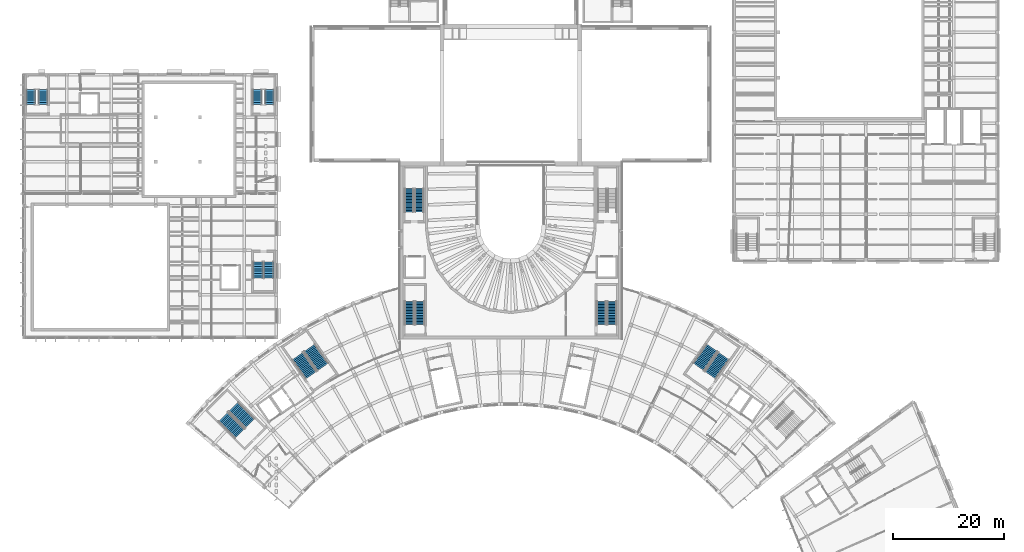
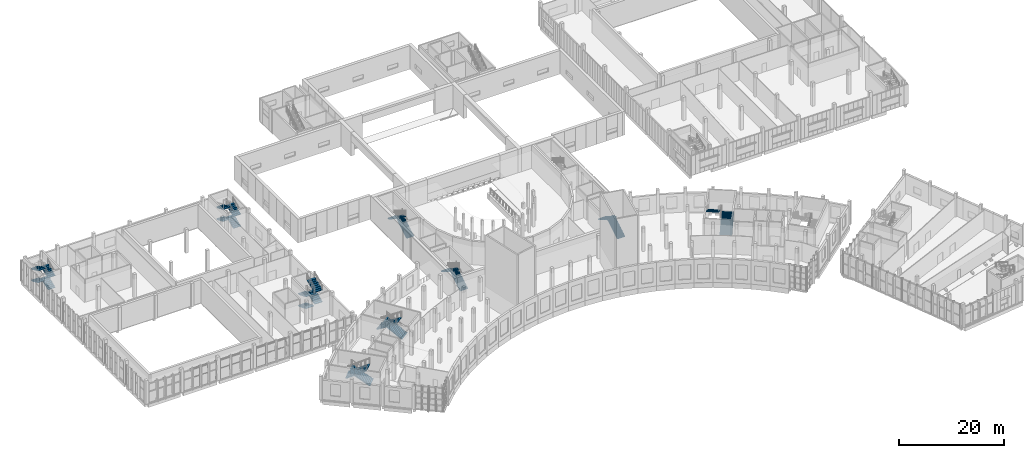
# One storey, part 47 of 87: 24 stair flights, 9 elements without a shape of their own.
"""IFC4 building model written with IfcOpenShell, lengths in metres."""

from ifc_helpers import new_model, si_unit, direction, frame, origin, place, context, subcontext, project, spatial, polyline, outline, extrude, material, type_object, element, aggregate, save


model = new_model("IFC4")

# Units and contexts
model_context = context("Model", 3, precision=1e-05, world=origin(), true_north=direction((0.0, 1.0)))
body_context = subcontext(model_context, "Body", "Model", "MODEL_VIEW")
ifc_project = project(units=[si_unit("LENGTHUNIT", "METRE"), si_unit("AREAUNIT", "SQUARE_METRE"), si_unit("VOLUMEUNIT", "CUBIC_METRE"), si_unit("PLANEANGLEUNIT", "RADIAN"), si_unit("MASSUNIT", "GRAM", prefix="KILO")], contexts=[model_context])

# Site, building, storey
site_placement = place(None, origin())
site = spatial("IfcSite", under=ifc_project, at=site_placement, CompositionType="ELEMENT")
building_placement = place(site_placement, origin())
building = spatial("IfcBuilding", under=site, at=building_placement, Name="Lunette Opera House", CompositionType="ELEMENT")
storey_placement = place(building_placement, frame((0.0, 0.0, 11.5)))
storey = spatial("IfcBuildingStorey", under=building, at=storey_placement, Name="L02", CompositionType="ELEMENT", Elevation=11.5)

# Stair, stair flights
ifc_material_1 = material(Name="Concrete C35/45", Category="concrete")
stair_type_1 = type_object("IfcStairType", Name="DOGLEG STAIR 1600", PredefinedType="HALF_TURN_STAIR", material=ifc_material_1)
stair_1_placement = place(storey_placement, origin())
stair_1 = element("IfcStair", 1, at=stair_1_placement, inside=storey, type_object=stair_type_1, Name="L02 stair ST15", PredefinedType="HALF_TURN_STAIR")
ifc_material_2 = material(Name="Concrete C35/45", Category="concrete")
stair_flight_type_1 = type_object("IfcStairFlightType", Name="STRAIGHT STAIR FLIGHT 1600", PredefinedType="STRAIGHT", material=ifc_material_2)
stair_flight_1_placement = place(storey_placement, frame((11.699951171875, 106.300048828125, 0.0), z_axis=(0.0, 0.0, 1.0), x_axis=(0.0, 1.0, 0.0)))
stair_flight_1 = element("IfcStairFlight", 2, at=stair_flight_1_placement, type_object=stair_flight_type_1, Name="ST15 flight 1", NumberOfRisers=8, NumberOfTreads=7, PredefinedType="STRAIGHT", RiserHeight=0.171875, TreadLength=0.38, context=body_context, shape_type="SweptSolid", body=[
    extrude(outline(polyline([(0.0, 0.0), (0.0, 0.171875), (0.3798828125, 0.171875), (0.3798828125, 0.34375), (0.760009765625, 0.34375), (0.760009765625, 0.515625), (1.139892578125, 0.515625), (1.139892578125, 0.6875), (1.52001953125, 0.6875), (1.52001953125, 0.859375), (1.89990234375, 0.859375), (1.89990234375, 1.03125), (2.280029296875, 1.03125), (2.280029296875, 1.203125), (2.659912109375, 1.203125), (2.659912109375, 1.375), (2.659912109375, 1.03857421875), (0.36376953125, 0.0), (0.0, 0.0)])), frame((0.0, 0.800048828125, 0.0), z_axis=(0.0, -1.0, 0.0), x_axis=(1.0, 0.0, 0.0)), (0.0, 0.0, 1.0), 1.60009765625),
])
stair_flight_2_placement = place(storey_placement, frame((9.5, 108.9599609375, 1.375), z_axis=(0.0, 0.0, 1.0), x_axis=(0.0, -1.0, 0.0)))
stair_flight_2 = element("IfcStairFlight", 3, at=stair_flight_2_placement, type_object=stair_flight_type_1, Name="ST15 flight 2", NumberOfRisers=8, NumberOfTreads=7, PredefinedType="STRAIGHT", RiserHeight=0.171875, TreadLength=0.38, context=body_context, shape_type="SweptSolid", body=[
    extrude(outline(polyline([(0.0, 0.0), (0.0, 0.171875), (0.3798828125, 0.171875), (0.3798828125, 0.34375), (0.760009765625, 0.34375), (0.760009765625, 0.515625), (1.139892578125, 0.515625), (1.139892578125, 0.6875), (1.52001953125, 0.6875), (1.52001953125, 0.859375), (1.89990234375, 0.859375), (1.89990234375, 1.03125), (2.280029296875, 1.03125), (2.280029296875, 1.203125), (2.659912109375, 1.203125), (2.659912109375, 1.375), (2.659912109375, 1.03857421875), (0.36376953125, 0.0), (0.0, 0.0)])), frame((0.0, 0.800048828125, 0.0), z_axis=(0.0, -1.0, 0.0), x_axis=(1.0, 0.0, 0.0)), (0.0, 0.0, 1.0), 1.60009765625),
])
stair_flight_3_placement = place(storey_placement, frame((11.699951171875, 106.300048828125, 2.75), z_axis=(0.0, 0.0, 1.0), x_axis=(0.0, 1.0, 0.0)))
stair_flight_3 = element("IfcStairFlight", 4, at=stair_flight_3_placement, type_object=stair_flight_type_1, Name="ST15 flight 3", NumberOfRisers=8, NumberOfTreads=7, PredefinedType="STRAIGHT", RiserHeight=0.171875, TreadLength=0.38, context=body_context, shape_type="SweptSolid", body=[
    extrude(outline(polyline([(0.0, 0.0), (0.0, 0.171875), (0.3798828125, 0.171875), (0.3798828125, 0.34375), (0.760009765625, 0.34375), (0.760009765625, 0.515625), (1.139892578125, 0.515625), (1.139892578125, 0.6875), (1.52001953125, 0.6875), (1.52001953125, 0.859375), (1.89990234375, 0.859375), (1.89990234375, 1.03125), (2.280029296875, 1.03125), (2.280029296875, 1.203125), (2.659912109375, 1.203125), (2.659912109375, 1.375), (2.659912109375, 1.03857421875), (0.36376953125, 0.0), (0.0, 0.0)])), frame((0.0, 0.800048828125, 0.0), z_axis=(0.0, -1.0, 0.0), x_axis=(1.0, 0.0, 0.0)), (0.0, 0.0, 1.0), 1.60009765625),
])
stair_flight_4_placement = place(storey_placement, frame((9.5, 108.9599609375, 4.125), z_axis=(0.0, 0.0, 1.0), x_axis=(0.0, -1.0, 0.0)))
stair_flight_4 = element("IfcStairFlight", 5, at=stair_flight_4_placement, type_object=stair_flight_type_1, Name="ST15 flight 4", NumberOfRisers=8, NumberOfTreads=7, PredefinedType="STRAIGHT", RiserHeight=0.171875, TreadLength=0.38, context=body_context, shape_type="SweptSolid", body=[
    extrude(outline(polyline([(0.0, 0.0), (0.0, 0.171875), (0.3798828125, 0.171875), (0.3798828125, 0.34375), (0.760009765625, 0.34375), (0.760009765625, 0.515625), (1.139892578125, 0.515625), (1.139892578125, 0.6875), (1.52001953125, 0.6875), (1.52001953125, 0.859375), (1.89990234375, 0.859375), (1.89990234375, 1.03125), (2.280029296875, 1.03125), (2.280029296875, 1.203125), (2.659912109375, 1.203125), (2.659912109375, 1.375), (2.659912109375, 1.03857421875), (0.36376953125, 0.0), (0.0, 0.0)])), frame((0.0, 0.800048828125, 0.0), z_axis=(0.0, -1.0, 0.0), x_axis=(1.0, 0.0, 0.0)), (0.0, 0.0, 1.0), 1.60009765625),
])
aggregate(stair_1, [stair_flight_1, stair_flight_2, stair_flight_3, stair_flight_4])

stair_2_placement = place(storey_placement, origin())
stair_2 = element("IfcStair", 6, at=stair_2_placement, inside=storey, type_object=stair_type_1, Name="L02 stair ST17", PredefinedType="HALF_TURN_STAIR")
stair_flight_5_placement = place(storey_placement, frame((52.534912109375, 106.300048828125, 0.0), z_axis=(0.0, 0.0, 1.0), x_axis=(0.0, 1.0, 0.0)))
stair_flight_5 = element("IfcStairFlight", 7, at=stair_flight_5_placement, type_object=stair_flight_type_1, Name="ST17 flight 1", NumberOfRisers=8, NumberOfTreads=7, PredefinedType="STRAIGHT", RiserHeight=0.171875, TreadLength=0.38, context=body_context, shape_type="SweptSolid", body=[
    extrude(outline(polyline([(0.0, 0.0), (0.0, 0.171875), (0.3798828125, 0.171875), (0.3798828125, 0.34375), (0.760009765625, 0.34375), (0.760009765625, 0.515625), (1.139892578125, 0.515625), (1.139892578125, 0.6875), (1.52001953125, 0.6875), (1.52001953125, 0.859375), (1.89990234375, 0.859375), (1.89990234375, 1.03125), (2.280029296875, 1.03125), (2.280029296875, 1.203125), (2.659912109375, 1.203125), (2.659912109375, 1.375), (2.659912109375, 1.03857421875), (0.36376953125, 0.0), (0.0, 0.0)])), frame((0.0, 0.800048828125, 0.0), z_axis=(0.0, -1.0, 0.0), x_axis=(1.0, 0.0, 0.0)), (0.0, 0.0, 1.0), 1.60009765625),
])
stair_flight_6_placement = place(storey_placement, frame((50.300048828125, 108.9599609375, 1.375), z_axis=(0.0, 0.0, 1.0), x_axis=(0.0, -1.0, 0.0)))
stair_flight_6 = element("IfcStairFlight", 8, at=stair_flight_6_placement, type_object=stair_flight_type_1, Name="ST17 flight 2", NumberOfRisers=8, NumberOfTreads=7, PredefinedType="STRAIGHT", RiserHeight=0.171875, TreadLength=0.38, context=body_context, shape_type="SweptSolid", body=[
    extrude(outline(polyline([(0.0, 0.0), (0.0, 0.171875), (0.3798828125, 0.171875), (0.3798828125, 0.34375), (0.760009765625, 0.34375), (0.760009765625, 0.515625), (1.139892578125, 0.515625), (1.139892578125, 0.6875), (1.52001953125, 0.6875), (1.52001953125, 0.859375), (1.89990234375, 0.859375), (1.89990234375, 1.03125), (2.280029296875, 1.03125), (2.280029296875, 1.203125), (2.659912109375, 1.203125), (2.659912109375, 1.375), (2.659912109375, 1.03857421875), (0.36376953125, 0.0), (0.0, 0.0)])), frame((0.0, 0.800048828125, 0.0), z_axis=(0.0, -1.0, 0.0), x_axis=(1.0, 0.0, 0.0)), (0.0, 0.0, 1.0), 1.60009765625),
])
stair_flight_7_placement = place(storey_placement, frame((52.534912109375, 106.300048828125, 2.75), z_axis=(0.0, 0.0, 1.0), x_axis=(0.0, 1.0, 0.0)))
stair_flight_7 = element("IfcStairFlight", 9, at=stair_flight_7_placement, type_object=stair_flight_type_1, Name="ST17 flight 3", NumberOfRisers=8, NumberOfTreads=7, PredefinedType="STRAIGHT", RiserHeight=0.171875, TreadLength=0.38, context=body_context, shape_type="SweptSolid", body=[
    extrude(outline(polyline([(0.0, 0.0), (0.0, 0.171875), (0.3798828125, 0.171875), (0.3798828125, 0.34375), (0.760009765625, 0.34375), (0.760009765625, 0.515625), (1.139892578125, 0.515625), (1.139892578125, 0.6875), (1.52001953125, 0.6875), (1.52001953125, 0.859375), (1.89990234375, 0.859375), (1.89990234375, 1.03125), (2.280029296875, 1.03125), (2.280029296875, 1.203125), (2.659912109375, 1.203125), (2.659912109375, 1.375), (2.659912109375, 1.03857421875), (0.36376953125, 0.0), (0.0, 0.0)])), frame((0.0, 0.800048828125, 0.0), z_axis=(0.0, -1.0, 0.0), x_axis=(1.0, 0.0, 0.0)), (0.0, 0.0, 1.0), 1.60009765625),
])
stair_flight_8_placement = place(storey_placement, frame((50.300048828125, 108.9599609375, 4.125), z_axis=(0.0, 0.0, 1.0), x_axis=(0.0, -1.0, 0.0)))
stair_flight_8 = element("IfcStairFlight", 10, at=stair_flight_8_placement, type_object=stair_flight_type_1, Name="ST17 flight 4", NumberOfRisers=8, NumberOfTreads=7, PredefinedType="STRAIGHT", RiserHeight=0.171875, TreadLength=0.38, context=body_context, shape_type="SweptSolid", body=[
    extrude(outline(polyline([(0.0, 0.0), (0.0, 0.171875), (0.3798828125, 0.171875), (0.3798828125, 0.34375), (0.760009765625, 0.34375), (0.760009765625, 0.515625), (1.139892578125, 0.515625), (1.139892578125, 0.6875), (1.52001953125, 0.6875), (1.52001953125, 0.859375), (1.89990234375, 0.859375), (1.89990234375, 1.03125), (2.280029296875, 1.03125), (2.280029296875, 1.203125), (2.659912109375, 1.203125), (2.659912109375, 1.375), (2.659912109375, 1.03857421875), (0.36376953125, 0.0), (0.0, 0.0)])), frame((0.0, 0.800048828125, 0.0), z_axis=(0.0, -1.0, 0.0), x_axis=(1.0, 0.0, 0.0)), (0.0, 0.0, 1.0), 1.60009765625),
])
aggregate(stair_2, [stair_flight_5, stair_flight_6, stair_flight_7, stair_flight_8])

ifc_material_3 = material(Name="Concrete C35/45", Category="concrete")
stair_type_2 = type_object("IfcStairType", Name="DOGLEG STAIR 1620", PredefinedType="HALF_TURN_STAIR", material=ifc_material_3)
stair_3_placement = place(storey_placement, origin())
stair_3 = element("IfcStair", 11, at=stair_3_placement, inside=storey, type_object=stair_type_2, Name="L02 stair ST10", PredefinedType="HALF_TURN_STAIR")
ifc_material_4 = material(Name="Concrete C35/45", Category="concrete")
stair_flight_type_2 = type_object("IfcStairFlightType", Name="STRAIGHT STAIR FLIGHT 1620", PredefinedType="STRAIGHT", material=ifc_material_4)
stair_flight_9_placement = place(storey_placement, frame((79.489990234375, 86.919921875, 0.0), z_axis=(0.0, 0.0, 1.0), x_axis=(0.0, 1.0, 0.0)))
stair_flight_9 = element("IfcStairFlight", 12, at=stair_flight_9_placement, type_object=stair_flight_type_2, Name="ST10 flight 1", NumberOfRisers=16, NumberOfTreads=15, PredefinedType="STRAIGHT", RiserHeight=0.171875, TreadLength=0.28, context=body_context, shape_type="SweptSolid", body=[
    extrude(outline(polyline([(0.0, 0.0), (0.0, 0.171875), (0.280029296875, 0.171875), (0.280029296875, 0.34375), (0.56005859375, 0.34375), (0.56005859375, 0.515625), (0.840087890625, 0.515625), (0.840087890625, 0.6875), (1.1201171875, 0.6875), (1.1201171875, 0.859375), (1.39990234375, 0.859375), (1.39990234375, 1.03125), (1.679931640625, 1.03125), (1.679931640625, 1.203125), (1.9599609375, 1.203125), (1.9599609375, 1.375), (2.239990234375, 1.375), (2.239990234375, 1.546875), (2.52001953125, 1.546875), (2.52001953125, 1.71875), (2.800048828125, 1.71875), (2.800048828125, 1.890625), (3.080078125, 1.890625), (3.080078125, 2.0625), (3.360107421875, 2.0625), (3.360107421875, 2.234375), (3.639892578125, 2.234375), (3.639892578125, 2.40625), (3.919921875, 2.40625), (3.919921875, 2.578125), (4.199951171875, 2.578125), (4.199951171875, 2.75), (4.199951171875, 2.40234375), (0.28662109375, 0.0), (0.0, 0.0)])), frame((0.0, 0.81005859375, 0.0), z_axis=(0.0, -1.0, 0.0), x_axis=(1.0, 0.0, 0.0)), (0.0, 0.0, 1.0), 1.6201171875),
])
stair_flight_10_placement = place(storey_placement, frame((77.7099609375, 91.1201171875, 2.75), z_axis=(0.0, 0.0, 1.0), x_axis=(0.0, -1.0, 0.0)))
stair_flight_10 = element("IfcStairFlight", 13, at=stair_flight_10_placement, type_object=stair_flight_type_2, Name="ST10 flight 2", NumberOfRisers=16, NumberOfTreads=15, PredefinedType="STRAIGHT", RiserHeight=0.171875, TreadLength=0.28, context=body_context, shape_type="SweptSolid", body=[
    extrude(outline(polyline([(0.0, 0.0), (0.0, 0.171875), (0.280029296875, 0.171875), (0.280029296875, 0.34375), (0.56005859375, 0.34375), (0.56005859375, 0.515625), (0.840087890625, 0.515625), (0.840087890625, 0.6875), (1.1201171875, 0.6875), (1.1201171875, 0.859375), (1.39990234375, 0.859375), (1.39990234375, 1.03125), (1.679931640625, 1.03125), (1.679931640625, 1.203125), (1.9599609375, 1.203125), (1.9599609375, 1.375), (2.239990234375, 1.375), (2.239990234375, 1.546875), (2.52001953125, 1.546875), (2.52001953125, 1.71875), (2.800048828125, 1.71875), (2.800048828125, 1.890625), (3.080078125, 1.890625), (3.080078125, 2.0625), (3.360107421875, 2.0625), (3.360107421875, 2.234375), (3.639892578125, 2.234375), (3.639892578125, 2.40625), (3.919921875, 2.40625), (3.919921875, 2.578125), (4.199951171875, 2.578125), (4.199951171875, 2.75), (4.199951171875, 2.40234375), (0.28662109375, 0.0), (0.0, 0.0)])), frame((0.0, 0.81005859375, 0.0), z_axis=(0.0, -1.0, 0.0), x_axis=(1.0, 0.0, 0.0)), (0.0, 0.0, 1.0), 1.6201171875),
])
aggregate(stair_3, [stair_flight_9, stair_flight_10])

ifc_material_5 = material(Name="Concrete C35/45", Category="concrete")
stair_type_3 = type_object("IfcStairType", Name="DOGLEG STAIR 1720", PredefinedType="HALF_TURN_STAIR", material=ifc_material_5)
stair_4_placement = place(storey_placement, origin())
stair_4 = element("IfcStair", 14, at=stair_4_placement, inside=storey, type_object=stair_type_3, Name="L02 stair ST7", PredefinedType="HALF_TURN_STAIR")
ifc_material_6 = material(Name="Concrete C35/45", Category="concrete")
stair_flight_type_3 = type_object("IfcStairFlightType", Name="STRAIGHT STAIR FLIGHT 1720", PredefinedType="STRAIGHT", material=ifc_material_6)
stair_flight_11_placement = place(storey_placement, frame((79.639892578125, 66.6201171875, 0.0), z_axis=(0.0, 0.0, 1.0), x_axis=(0.0, 1.0, 0.0)))
stair_flight_11 = element("IfcStairFlight", 15, at=stair_flight_11_placement, type_object=stair_flight_type_3, Name="ST7 flight 1", NumberOfRisers=16, NumberOfTreads=15, PredefinedType="STRAIGHT", RiserHeight=0.171875, TreadLength=0.28, context=body_context, shape_type="SweptSolid", body=[
    extrude(outline(polyline([(0.0, 0.0), (0.0, 0.171875), (0.280029296875, 0.171875), (0.280029296875, 0.34375), (0.56005859375, 0.34375), (0.56005859375, 0.515625), (0.840087890625, 0.515625), (0.840087890625, 0.6875), (1.1201171875, 0.6875), (1.1201171875, 0.859375), (1.39990234375, 0.859375), (1.39990234375, 1.03125), (1.679931640625, 1.03125), (1.679931640625, 1.203125), (1.9599609375, 1.203125), (1.9599609375, 1.375), (2.239990234375, 1.375), (2.239990234375, 1.546875), (2.52001953125, 1.546875), (2.52001953125, 1.71875), (2.800048828125, 1.71875), (2.800048828125, 1.890625), (3.080078125, 1.890625), (3.080078125, 2.0625), (3.360107421875, 2.0625), (3.360107421875, 2.234375), (3.639892578125, 2.234375), (3.639892578125, 2.40625), (3.919921875, 2.40625), (3.919921875, 2.578125), (4.199951171875, 2.578125), (4.199951171875, 2.75), (4.199951171875, 2.40234375), (0.28662109375, 0.0), (0.0, 0.0)])), frame((0.0, 0.85986328125, 0.0), z_axis=(0.0, -1.0, 0.0), x_axis=(1.0, 0.0, 0.0)), (0.0, 0.0, 1.0), 1.719970703125),
])
stair_flight_12_placement = place(storey_placement, frame((77.760009765625, 70.820068359375, 2.75), z_axis=(0.0, 0.0, 1.0), x_axis=(0.0, -1.0, 0.0)))
stair_flight_12 = element("IfcStairFlight", 16, at=stair_flight_12_placement, type_object=stair_flight_type_3, Name="ST7 flight 2", NumberOfRisers=16, NumberOfTreads=15, PredefinedType="STRAIGHT", RiserHeight=0.171875, TreadLength=0.28, context=body_context, shape_type="SweptSolid", body=[
    extrude(outline(polyline([(0.0, 0.0), (0.0, 0.171875), (0.280029296875, 0.171875), (0.280029296875, 0.34375), (0.56005859375, 0.34375), (0.56005859375, 0.515625), (0.840087890625, 0.515625), (0.840087890625, 0.6875), (1.1201171875, 0.6875), (1.1201171875, 0.859375), (1.39990234375, 0.859375), (1.39990234375, 1.03125), (1.679931640625, 1.03125), (1.679931640625, 1.203125), (1.9599609375, 1.203125), (1.9599609375, 1.375), (2.239990234375, 1.375), (2.239990234375, 1.546875), (2.52001953125, 1.546875), (2.52001953125, 1.71875), (2.800048828125, 1.71875), (2.800048828125, 1.890625), (3.080078125, 1.890625), (3.080078125, 2.0625), (3.360107421875, 2.0625), (3.360107421875, 2.234375), (3.639892578125, 2.234375), (3.639892578125, 2.40625), (3.919921875, 2.40625), (3.919921875, 2.578125), (4.199951171875, 2.578125), (4.199951171875, 2.75), (4.199951171875, 2.40234375), (0.28662109375, 0.0), (0.0, 0.0)])), frame((0.0, 0.85986328125, 0.0), z_axis=(0.0, -1.0, 0.0), x_axis=(1.0, 0.0, 0.0)), (0.0, 0.0, 1.0), 1.719970703125),
])
aggregate(stair_4, [stair_flight_11, stair_flight_12])

stair_5_placement = place(storey_placement, origin())
stair_5 = element("IfcStair", 17, at=stair_5_placement, inside=storey, type_object=stair_type_3, Name="L02 stair ST8", PredefinedType="HALF_TURN_STAIR")
stair_flight_13_placement = place(storey_placement, frame((114.239990234375, 66.6201171875, 0.0), z_axis=(0.0, 0.0, 1.0), x_axis=(0.0, 1.0, 0.0)))
stair_flight_13 = element("IfcStairFlight", 18, at=stair_flight_13_placement, type_object=stair_flight_type_3, Name="ST8 flight 1", NumberOfRisers=16, NumberOfTreads=15, PredefinedType="STRAIGHT", RiserHeight=0.171875, TreadLength=0.28, context=body_context, shape_type="SweptSolid", body=[
    extrude(outline(polyline([(0.0, 0.0), (0.0, 0.171875), (0.280029296875, 0.171875), (0.280029296875, 0.34375), (0.56005859375, 0.34375), (0.56005859375, 0.515625), (0.840087890625, 0.515625), (0.840087890625, 0.6875), (1.1201171875, 0.6875), (1.1201171875, 0.859375), (1.39990234375, 0.859375), (1.39990234375, 1.03125), (1.679931640625, 1.03125), (1.679931640625, 1.203125), (1.9599609375, 1.203125), (1.9599609375, 1.375), (2.239990234375, 1.375), (2.239990234375, 1.546875), (2.52001953125, 1.546875), (2.52001953125, 1.71875), (2.800048828125, 1.71875), (2.800048828125, 1.890625), (3.080078125, 1.890625), (3.080078125, 2.0625), (3.360107421875, 2.0625), (3.360107421875, 2.234375), (3.639892578125, 2.234375), (3.639892578125, 2.40625), (3.919921875, 2.40625), (3.919921875, 2.578125), (4.199951171875, 2.578125), (4.199951171875, 2.75), (4.199951171875, 2.40234375), (0.28662109375, 0.0), (0.0, 0.0)])), frame((0.0, 0.85986328125, 0.0), z_axis=(0.0, -1.0, 0.0), x_axis=(1.0, 0.0, 0.0)), (0.0, 0.0, 1.0), 1.719970703125),
])
stair_flight_14_placement = place(storey_placement, frame((112.360107421875, 70.820068359375, 2.75), z_axis=(0.0, 0.0, 1.0), x_axis=(0.0, -1.0, 0.0)))
stair_flight_14 = element("IfcStairFlight", 19, at=stair_flight_14_placement, type_object=stair_flight_type_3, Name="ST8 flight 2", NumberOfRisers=16, NumberOfTreads=15, PredefinedType="STRAIGHT", RiserHeight=0.171875, TreadLength=0.28, context=body_context, shape_type="SweptSolid", body=[
    extrude(outline(polyline([(0.0, 0.0), (0.0, 0.171875), (0.280029296875, 0.171875), (0.280029296875, 0.34375), (0.56005859375, 0.34375), (0.56005859375, 0.515625), (0.840087890625, 0.515625), (0.840087890625, 0.6875), (1.1201171875, 0.6875), (1.1201171875, 0.859375), (1.39990234375, 0.859375), (1.39990234375, 1.03125), (1.679931640625, 1.03125), (1.679931640625, 1.203125), (1.9599609375, 1.203125), (1.9599609375, 1.375), (2.239990234375, 1.375), (2.239990234375, 1.546875), (2.52001953125, 1.546875), (2.52001953125, 1.71875), (2.800048828125, 1.71875), (2.800048828125, 1.890625), (3.080078125, 1.890625), (3.080078125, 2.0625), (3.360107421875, 2.0625), (3.360107421875, 2.234375), (3.639892578125, 2.234375), (3.639892578125, 2.40625), (3.919921875, 2.40625), (3.919921875, 2.578125), (4.199951171875, 2.578125), (4.199951171875, 2.75), (4.199951171875, 2.40234375), (0.28662109375, 0.0), (0.0, 0.0)])), frame((0.0, 0.85986328125, 0.0), z_axis=(0.0, -1.0, 0.0), x_axis=(1.0, 0.0, 0.0)), (0.0, 0.0, 1.0), 1.719970703125),
])
aggregate(stair_5, [stair_flight_13, stair_flight_14])

ifc_material_7 = material(Name="Concrete C35/45", Category="concrete")
stair_type_4 = type_object("IfcStairType", Name="DOGLEG STAIR 1770", PredefinedType="HALF_TURN_STAIR", material=ifc_material_7)
stair_6_placement = place(storey_placement, origin())
stair_6 = element("IfcStair", 20, at=stair_6_placement, inside=storey, type_object=stair_type_4, Name="L02 stair ST16", PredefinedType="HALF_TURN_STAIR")
ifc_material_8 = material(Name="Concrete C35/45", Category="concrete")
stair_flight_type_4 = type_object("IfcStairFlightType", Name="STRAIGHT STAIR FLIGHT 1770", PredefinedType="STRAIGHT", material=ifc_material_8)
stair_flight_15_placement = place(storey_placement, frame((50.485107421875, 77.929931640625, 0.0), z_axis=(0.0, 0.0, 1.0), x_axis=(0.0, -1.0, 0.0)))
stair_flight_15 = element("IfcStairFlight", 21, at=stair_flight_15_placement, type_object=stair_flight_type_4, Name="ST16 flight 1", NumberOfRisers=8, NumberOfTreads=7, PredefinedType="STRAIGHT", RiserHeight=0.171875, TreadLength=0.42, context=body_context, shape_type="SweptSolid", body=[
    extrude(outline(polyline([(0.0, 0.0), (0.0, 0.171875), (0.419921875, 0.171875), (0.419921875, 0.34375), (0.840087890625, 0.34375), (0.840087890625, 0.515625), (1.260009765625, 0.515625), (1.260009765625, 0.6875), (1.679931640625, 0.6875), (1.679931640625, 0.859375), (2.10009765625, 0.859375), (2.10009765625, 1.03125), (2.52001953125, 1.03125), (2.52001953125, 1.203125), (2.93994140625, 1.203125), (2.93994140625, 1.375), (2.93994140625, 1.041259765625), (0.395751953125, 0.0), (0.0, 0.0)])), frame((0.0, 0.885009765625, 0.0), z_axis=(0.0, -1.0, 0.0), x_axis=(1.0, 0.0, 0.0)), (0.0, 0.0, 1.0), 1.77001953125),
])
stair_flight_16_placement = place(storey_placement, frame((52.4150390625, 74.989990234375, 1.375), z_axis=(0.0, 0.0, 1.0), x_axis=(0.0, 1.0, 0.0)))
stair_flight_16 = element("IfcStairFlight", 22, at=stair_flight_16_placement, type_object=stair_flight_type_4, Name="ST16 flight 2", NumberOfRisers=8, NumberOfTreads=7, PredefinedType="STRAIGHT", RiserHeight=0.171875, TreadLength=0.42, context=body_context, shape_type="SweptSolid", body=[
    extrude(outline(polyline([(0.0, 0.0), (0.0, 0.171875), (0.419921875, 0.171875), (0.419921875, 0.34375), (0.840087890625, 0.34375), (0.840087890625, 0.515625), (1.260009765625, 0.515625), (1.260009765625, 0.6875), (1.679931640625, 0.6875), (1.679931640625, 0.859375), (2.10009765625, 0.859375), (2.10009765625, 1.03125), (2.52001953125, 1.03125), (2.52001953125, 1.203125), (2.93994140625, 1.203125), (2.93994140625, 1.375), (2.93994140625, 1.041259765625), (0.395751953125, 0.0), (0.0, 0.0)])), frame((0.0, 0.885009765625, 0.0), z_axis=(0.0, -1.0, 0.0), x_axis=(1.0, 0.0, 0.0)), (0.0, 0.0, 1.0), 1.77001953125),
])
stair_flight_17_placement = place(storey_placement, frame((50.485107421875, 77.929931640625, 2.75), z_axis=(0.0, 0.0, 1.0), x_axis=(0.0, -1.0, 0.0)))
stair_flight_17 = element("IfcStairFlight", 23, at=stair_flight_17_placement, type_object=stair_flight_type_4, Name="ST16 flight 3", NumberOfRisers=8, NumberOfTreads=7, PredefinedType="STRAIGHT", RiserHeight=0.171875, TreadLength=0.42, context=body_context, shape_type="SweptSolid", body=[
    extrude(outline(polyline([(0.0, 0.0), (0.0, 0.171875), (0.419921875, 0.171875), (0.419921875, 0.34375), (0.840087890625, 0.34375), (0.840087890625, 0.515625), (1.260009765625, 0.515625), (1.260009765625, 0.6875), (1.679931640625, 0.6875), (1.679931640625, 0.859375), (2.10009765625, 0.859375), (2.10009765625, 1.03125), (2.52001953125, 1.03125), (2.52001953125, 1.203125), (2.93994140625, 1.203125), (2.93994140625, 1.375), (2.93994140625, 1.041259765625), (0.395751953125, 0.0), (0.0, 0.0)])), frame((0.0, 0.885009765625, 0.0), z_axis=(0.0, -1.0, 0.0), x_axis=(1.0, 0.0, 0.0)), (0.0, 0.0, 1.0), 1.77001953125),
])
stair_flight_18_placement = place(storey_placement, frame((52.4150390625, 74.989990234375, 4.125), z_axis=(0.0, 0.0, 1.0), x_axis=(0.0, 1.0, 0.0)))
stair_flight_18 = element("IfcStairFlight", 24, at=stair_flight_18_placement, type_object=stair_flight_type_4, Name="ST16 flight 4", NumberOfRisers=8, NumberOfTreads=7, PredefinedType="STRAIGHT", RiserHeight=0.171875, TreadLength=0.42, context=body_context, shape_type="SweptSolid", body=[
    extrude(outline(polyline([(0.0, 0.0), (0.0, 0.171875), (0.419921875, 0.171875), (0.419921875, 0.34375), (0.840087890625, 0.34375), (0.840087890625, 0.515625), (1.260009765625, 0.515625), (1.260009765625, 0.6875), (1.679931640625, 0.6875), (1.679931640625, 0.859375), (2.10009765625, 0.859375), (2.10009765625, 1.03125), (2.52001953125, 1.03125), (2.52001953125, 1.203125), (2.93994140625, 1.203125), (2.93994140625, 1.375), (2.93994140625, 1.041259765625), (0.395751953125, 0.0), (0.0, 0.0)])), frame((0.0, 0.885009765625, 0.0), z_axis=(0.0, -1.0, 0.0), x_axis=(1.0, 0.0, 0.0)), (0.0, 0.0, 1.0), 1.77001953125),
])
aggregate(stair_6, [stair_flight_15, stair_flight_16, stair_flight_17, stair_flight_18])

ifc_material_9 = material(Name="Concrete C35/45", Category="concrete")
stair_type_5 = type_object("IfcStairType", Name="DOGLEG STAIR 2400", PredefinedType="HALF_TURN_STAIR", material=ifc_material_9)
stair_7_placement = place(storey_placement, origin())
stair_7 = element("IfcStair", 25, at=stair_7_placement, inside=storey, type_object=stair_type_5, Name="L02 stair ST1", PredefinedType="HALF_TURN_STAIR")
ifc_material_10 = material(Name="Concrete C35/45", Category="concrete")
stair_flight_type_5 = type_object("IfcStairFlightType", Name="STRAIGHT STAIR FLIGHT 2400", PredefinedType="STRAIGHT", material=ifc_material_10)
stair_flight_19_placement = place(storey_placement, frame((49.01318359375, 48.825439453125, 0.0), z_axis=(0.0, 0.0, 1.0), x_axis=(-0.707106781187, 0.707106781187, 0.0)))
stair_flight_19 = element("IfcStairFlight", 26, at=stair_flight_19_placement, type_object=stair_flight_type_5, Name="ST1 flight 1", NumberOfRisers=16, NumberOfTreads=15, PredefinedType="STRAIGHT", RiserHeight=0.171875, TreadLength=0.28, context=body_context, shape_type="SweptSolid", body=[
    extrude(outline(polyline([(0.0, 0.0), (0.0, 0.171875), (0.280029296875, 0.171875), (0.280029296875, 0.34375), (0.56005859375, 0.34375), (0.56005859375, 0.515625), (0.840087890625, 0.515625), (0.840087890625, 0.6875), (1.1201171875, 0.6875), (1.1201171875, 0.859375), (1.39990234375, 0.859375), (1.39990234375, 1.03125), (1.679931640625, 1.03125), (1.679931640625, 1.203125), (1.9599609375, 1.203125), (1.9599609375, 1.375), (2.239990234375, 1.375), (2.239990234375, 1.546875), (2.52001953125, 1.546875), (2.52001953125, 1.71875), (2.800048828125, 1.71875), (2.800048828125, 1.890625), (3.080078125, 1.890625), (3.080078125, 2.0625), (3.360107421875, 2.0625), (3.360107421875, 2.234375), (3.639892578125, 2.234375), (3.639892578125, 2.40625), (3.919921875, 2.40625), (3.919921875, 2.578125), (4.199951171875, 2.578125), (4.199951171875, 2.75), (4.199951171875, 2.40234375), (0.28662109375, 0.0), (0.0, 0.0)])), frame((0.0, 1.199951171875, 0.0), z_axis=(0.0, -1.0, 0.0), x_axis=(1.0, 0.0, 0.0)), (0.0, 0.0, 1.0), 2.39990234375),
])
stair_flight_20_placement = place(storey_placement, frame((44.20458984375, 49.956787109375, 2.75), z_axis=(0.0, 0.0, 1.0), x_axis=(0.707106781187, -0.707106781187, 0.0)))
stair_flight_20 = element("IfcStairFlight", 27, at=stair_flight_20_placement, type_object=stair_flight_type_5, Name="ST1 flight 2", NumberOfRisers=16, NumberOfTreads=15, PredefinedType="STRAIGHT", RiserHeight=0.171875, TreadLength=0.28, context=body_context, shape_type="SweptSolid", body=[
    extrude(outline(polyline([(0.0, 0.0), (0.0, 0.171875), (0.280029296875, 0.171875), (0.280029296875, 0.34375), (0.56005859375, 0.34375), (0.56005859375, 0.515625), (0.840087890625, 0.515625), (0.840087890625, 0.6875), (1.1201171875, 0.6875), (1.1201171875, 0.859375), (1.39990234375, 0.859375), (1.39990234375, 1.03125), (1.679931640625, 1.03125), (1.679931640625, 1.203125), (1.9599609375, 1.203125), (1.9599609375, 1.375), (2.239990234375, 1.375), (2.239990234375, 1.546875), (2.52001953125, 1.546875), (2.52001953125, 1.71875), (2.800048828125, 1.71875), (2.800048828125, 1.890625), (3.080078125, 1.890625), (3.080078125, 2.0625), (3.360107421875, 2.0625), (3.360107421875, 2.234375), (3.639892578125, 2.234375), (3.639892578125, 2.40625), (3.919921875, 2.40625), (3.919921875, 2.578125), (4.199951171875, 2.578125), (4.199951171875, 2.75), (4.199951171875, 2.40234375), (0.28662109375, 0.0), (0.0, 0.0)])), frame((0.0, 1.199951171875, 0.0), z_axis=(0.0, -1.0, 0.0), x_axis=(1.0, 0.0, 0.0)), (0.0, 0.0, 1.0), 2.39990234375),
])
aggregate(stair_7, [stair_flight_19, stair_flight_20])

stair_8_placement = place(storey_placement, origin())
stair_8 = element("IfcStair", 28, at=stair_8_placement, inside=storey, type_object=stair_type_5, Name="L02 stair ST2", PredefinedType="HALF_TURN_STAIR")
stair_flight_21_placement = place(storey_placement, frame((62.13720703125, 58.996337890625, 0.0), z_axis=(0.0, 0.0, 1.0), x_axis=(-0.573510282723, 0.819198361577, 0.0)))
stair_flight_21 = element("IfcStairFlight", 29, at=stair_flight_21_placement, type_object=stair_flight_type_5, Name="ST2 flight 1", NumberOfRisers=16, NumberOfTreads=15, PredefinedType="STRAIGHT", RiserHeight=0.171875, TreadLength=0.28, context=body_context, shape_type="SweptSolid", body=[
    extrude(outline(polyline([(0.0, 0.0), (0.0, 0.171875), (0.280029296875, 0.171875), (0.280029296875, 0.34375), (0.56005859375, 0.34375), (0.56005859375, 0.515625), (0.840087890625, 0.515625), (0.840087890625, 0.6875), (1.1201171875, 0.6875), (1.1201171875, 0.859375), (1.39990234375, 0.859375), (1.39990234375, 1.03125), (1.679931640625, 1.03125), (1.679931640625, 1.203125), (1.9599609375, 1.203125), (1.9599609375, 1.375), (2.239990234375, 1.375), (2.239990234375, 1.546875), (2.52001953125, 1.546875), (2.52001953125, 1.71875), (2.800048828125, 1.71875), (2.800048828125, 1.890625), (3.080078125, 1.890625), (3.080078125, 2.0625), (3.360107421875, 2.0625), (3.360107421875, 2.234375), (3.639892578125, 2.234375), (3.639892578125, 2.40625), (3.919921875, 2.40625), (3.919921875, 2.578125), (4.199951171875, 2.578125), (4.199951171875, 2.75), (4.199951171875, 2.40234375), (0.28662109375, 0.0), (0.0, 0.0)])), frame((0.0, 1.199951171875, 0.0), z_axis=(0.0, -1.0, 0.0), x_axis=(1.0, 0.0, 0.0)), (0.0, 0.0, 1.0), 2.39990234375),
])
stair_flight_22_placement = place(storey_placement, frame((57.597900390625, 60.945556640625, 2.75), z_axis=(0.0, 0.0, 1.0), x_axis=(0.573510282723, -0.819198361577, 0.0)))
stair_flight_22 = element("IfcStairFlight", 30, at=stair_flight_22_placement, type_object=stair_flight_type_5, Name="ST2 flight 2", NumberOfRisers=16, NumberOfTreads=15, PredefinedType="STRAIGHT", RiserHeight=0.171875, TreadLength=0.28, context=body_context, shape_type="SweptSolid", body=[
    extrude(outline(polyline([(0.0, 0.0), (0.0, 0.171875), (0.280029296875, 0.171875), (0.280029296875, 0.34375), (0.56005859375, 0.34375), (0.56005859375, 0.515625), (0.840087890625, 0.515625), (0.840087890625, 0.6875), (1.1201171875, 0.6875), (1.1201171875, 0.859375), (1.39990234375, 0.859375), (1.39990234375, 1.03125), (1.679931640625, 1.03125), (1.679931640625, 1.203125), (1.9599609375, 1.203125), (1.9599609375, 1.375), (2.239990234375, 1.375), (2.239990234375, 1.546875), (2.52001953125, 1.546875), (2.52001953125, 1.71875), (2.800048828125, 1.71875), (2.800048828125, 1.890625), (3.080078125, 1.890625), (3.080078125, 2.0625), (3.360107421875, 2.0625), (3.360107421875, 2.234375), (3.639892578125, 2.234375), (3.639892578125, 2.40625), (3.919921875, 2.40625), (3.919921875, 2.578125), (4.199951171875, 2.578125), (4.199951171875, 2.75), (4.199951171875, 2.40234375), (0.28662109375, 0.0), (0.0, 0.0)])), frame((0.0, 1.199951171875, 0.0), z_axis=(0.0, -1.0, 0.0), x_axis=(1.0, 0.0, 0.0)), (0.0, 0.0, 1.0), 2.39990234375),
])
aggregate(stair_8, [stair_flight_21, stair_flight_22])

stair_9_placement = place(storey_placement, origin())
stair_9 = element("IfcStair", 31, at=stair_9_placement, inside=storey, type_object=stair_type_5, Name="L02 stair ST3", PredefinedType="HALF_TURN_STAIR")
stair_flight_23_placement = place(storey_placement, frame((131.9931640625, 57.5048828125, 0.0), z_axis=(0.0, 0.0, 1.0), x_axis=(0.573569716789, 0.819156749336, 0.0)))
stair_flight_23 = element("IfcStairFlight", 32, at=stair_flight_23_placement, type_object=stair_flight_type_5, Name="ST3 flight 1", NumberOfRisers=16, NumberOfTreads=15, PredefinedType="STRAIGHT", RiserHeight=0.171875, TreadLength=0.28, context=body_context, shape_type="SweptSolid", body=[
    extrude(outline(polyline([(0.0, 0.0), (0.0, 0.171875), (0.280029296875, 0.171875), (0.280029296875, 0.34375), (0.56005859375, 0.34375), (0.56005859375, 0.515625), (0.840087890625, 0.515625), (0.840087890625, 0.6875), (1.1201171875, 0.6875), (1.1201171875, 0.859375), (1.39990234375, 0.859375), (1.39990234375, 1.03125), (1.679931640625, 1.03125), (1.679931640625, 1.203125), (1.9599609375, 1.203125), (1.9599609375, 1.375), (2.239990234375, 1.375), (2.239990234375, 1.546875), (2.52001953125, 1.546875), (2.52001953125, 1.71875), (2.800048828125, 1.71875), (2.800048828125, 1.890625), (3.080078125, 1.890625), (3.080078125, 2.0625), (3.360107421875, 2.0625), (3.360107421875, 2.234375), (3.639892578125, 2.234375), (3.639892578125, 2.40625), (3.919921875, 2.40625), (3.919921875, 2.578125), (4.199951171875, 2.578125), (4.199951171875, 2.75), (4.199951171875, 2.40234375), (0.28662109375, 0.0), (0.0, 0.0)])), frame((0.0, 1.199951171875, 0.0), z_axis=(0.0, -1.0, 0.0), x_axis=(1.0, 0.0, 0.0)), (0.0, 0.0, 1.0), 2.39990234375),
])
stair_flight_24_placement = place(storey_placement, frame((132.271728515625, 62.43701171875, 2.75), z_axis=(0.0, 0.0, 1.0), x_axis=(-0.573569716789, -0.819156749336, 0.0)))
stair_flight_24 = element("IfcStairFlight", 33, at=stair_flight_24_placement, type_object=stair_flight_type_5, Name="ST3 flight 2", NumberOfRisers=16, NumberOfTreads=15, PredefinedType="STRAIGHT", RiserHeight=0.171875, TreadLength=0.28, context=body_context, shape_type="SweptSolid", body=[
    extrude(outline(polyline([(0.0, 0.0), (0.0, 0.171875), (0.280029296875, 0.171875), (0.280029296875, 0.34375), (0.56005859375, 0.34375), (0.56005859375, 0.515625), (0.840087890625, 0.515625), (0.840087890625, 0.6875), (1.1201171875, 0.6875), (1.1201171875, 0.859375), (1.39990234375, 0.859375), (1.39990234375, 1.03125), (1.679931640625, 1.03125), (1.679931640625, 1.203125), (1.9599609375, 1.203125), (1.9599609375, 1.375), (2.239990234375, 1.375), (2.239990234375, 1.546875), (2.52001953125, 1.546875), (2.52001953125, 1.71875), (2.800048828125, 1.71875), (2.800048828125, 1.890625), (3.080078125, 1.890625), (3.080078125, 2.0625), (3.360107421875, 2.0625), (3.360107421875, 2.234375), (3.639892578125, 2.234375), (3.639892578125, 2.40625), (3.919921875, 2.40625), (3.919921875, 2.578125), (4.199951171875, 2.578125), (4.199951171875, 2.75), (4.199951171875, 2.40234375), (0.28662109375, 0.0), (0.0, 0.0)])), frame((0.0, 1.199951171875, 0.0), z_axis=(0.0, -1.0, 0.0), x_axis=(1.0, 0.0, 0.0)), (0.0, 0.0, 1.0), 2.39990234375),
])
aggregate(stair_9, [stair_flight_23, stair_flight_24])

save(model, "model.ifc")
